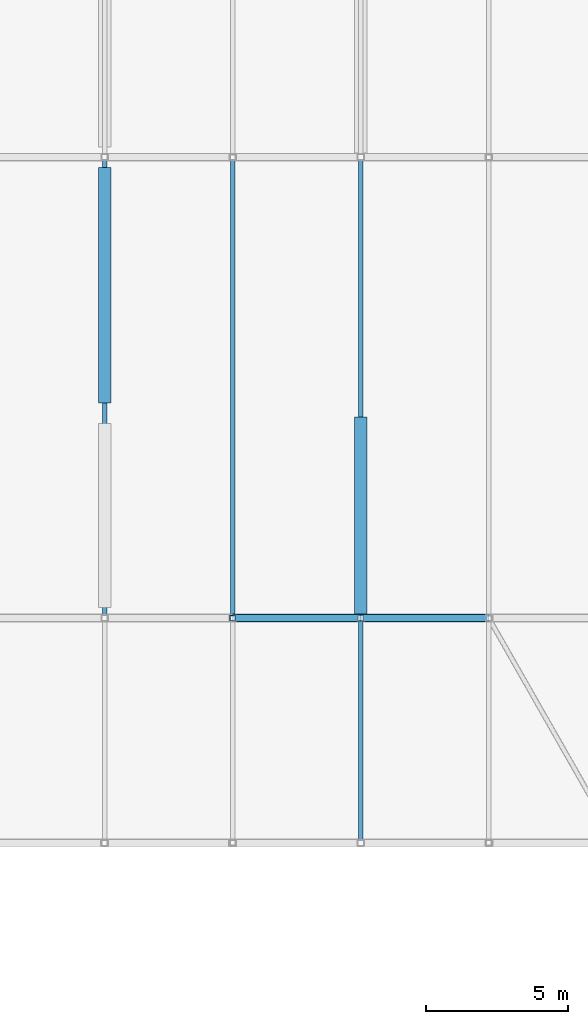
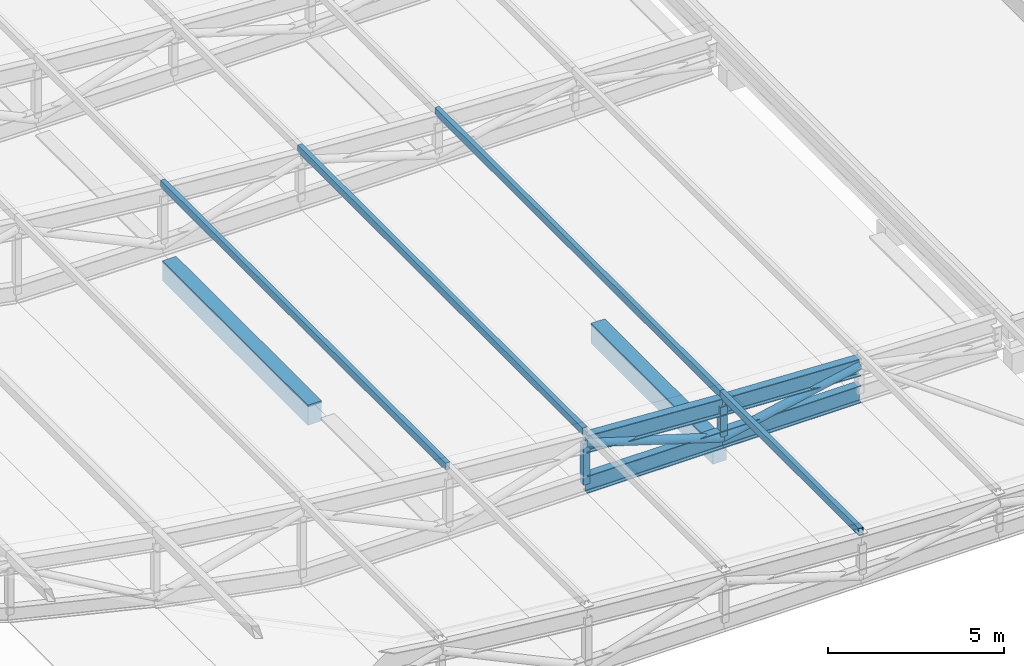
# One storey, part 50 of 114: 8 members, 6 beams.
"""IFC4 building model written with IfcOpenShell, lengths in metres."""

from ifc_helpers import new_model, si_unit, direction, frame, origin, origin_2d, place, context, subcontext, project, spatial, rectangle, hollow_rectangle, hollow_circle, i_section, extrude, material, material_profile, profile_set, type_object, element, save


model = new_model("IFC4")

# Units and contexts
model_context = context("Model", 3, precision=1e-05, world=origin(), true_north=direction((0.0, 1.0)))
body_context = subcontext(model_context, "Body", "Model", "MODEL_VIEW")
ifc_project = project(units=[si_unit("LENGTHUNIT", "METRE"), si_unit("AREAUNIT", "SQUARE_METRE"), si_unit("VOLUMEUNIT", "CUBIC_METRE"), si_unit("PLANEANGLEUNIT", "RADIAN"), si_unit("MASSUNIT", "GRAM", prefix="KILO"), si_unit("THERMODYNAMICTEMPERATUREUNIT", "KELVIN"), si_unit("POWERUNIT", "WATT")], contexts=[model_context])

# Site, building, storey
site_placement = place(None, origin())
site = spatial("IfcSite", under=ifc_project, at=site_placement, CompositionType="ELEMENT")
building_placement = place(site_placement, origin())
building = spatial("IfcBuilding", under=site, at=building_placement, Name="Sindhuravela Promenade Stadium", CompositionType="ELEMENT")
storey_placement = place(building_placement, frame((0.0, 0.0, 24.0)))
storey = spatial("IfcBuildingStorey", under=building, at=storey_placement, Name="L05", CompositionType="ELEMENT", Elevation=24.0)

# Beams
ifc_material_1 = material(Name="Concrete M40", Category="concrete")
ifc_material_profile_1 = material_profile(ifc_material_1, rectangle(XDim=0.449951171875, YDim=0.699951171875, at=origin_2d()), Name="RC 450x700")
ifc_profile_set_1 = profile_set([ifc_material_profile_1], Name="Concrete M40")
beam_type_1 = type_object("IfcBeamType", Name="RC-BM-450x700", PredefinedType="BEAM", material=ifc_profile_set_1)
beam_1_placement = place(storey_placement, frame((180.0, 52.56494140625, -0.594970703125), z_axis=(0.0, 1.0, 0.0), x_axis=(-1.0, 0.0, 0.0)))
element("IfcBeam", 1, at=beam_1_placement, inside=storey, type_object=beam_type_1, Name="Primary beam GB07 EAST L05", PredefinedType="BEAM", context=body_context, shape_type="SweptSolid", body=[
    extrude(rectangle(XDim=0.449951171875, YDim=0.699951171875, at=origin_2d()), origin(), (0.0, 0.0, 1.0), 8.27001953125),
])
beam_2_placement = place(storey_placement, frame((189.0, 45.139892578125, -0.594970703125), z_axis=(0.0, 1.0, 0.0), x_axis=(-1.0, 0.0, 0.0)))
element("IfcBeam", 2, at=beam_2_placement, inside=storey, type_object=beam_type_1, Name="Primary beam GB07 EAST L05", PredefinedType="BEAM", context=body_context, shape_type="SweptSolid", body=[
    extrude(rectangle(XDim=0.449951171875, YDim=0.699951171875, at=origin_2d()), origin(), (0.0, 0.0, 1.0), 6.920166015625),
])
ifc_material_2 = material(Name="Steel E350 (IS 2062 E350BR)", Category="steel")
ifc_material_profile_2 = material_profile(ifc_material_2, i_section(OverallWidth=0.25, OverallDepth=0.60009765625, WebThickness=0.01171875, FlangeThickness=0.023681640625, FilletRadius=0.01708984375, at=origin_2d()), Name="ISWB 600")
ifc_profile_set_2 = profile_set([ifc_material_profile_2], Name="Steel E350 (IS 2062 E350BR)")
beam_type_2 = type_object("IfcBeamType", Name="ST-BM-WB600", PredefinedType="USERDEFINED", material=ifc_profile_set_2)
beam_3_placement = place(storey_placement, frame((193.5, 45.0, 0.9306640625), z_axis=(-0.9990310406412204, 0.0, 0.04401113308380376), x_axis=(0.0, -1.0, 0.0)))
element("IfcBeam", 3, at=beam_3_placement, inside=storey, type_object=beam_type_2, Name="Roof truss RT-E02 top chord 2", ObjectType="ROOF TRUSS", PredefinedType="USERDEFINED", context=body_context, shape_type="SweptSolid", body=[
    extrude(i_section(OverallWidth=0.25, OverallDepth=0.60009765625, WebThickness=0.01171875, FlangeThickness=0.023681640625, FilletRadius=0.01708984375, at=origin_2d()), origin(), (0.0, 0.0, 1.0), 4.50439453125),
])
beam_4_placement = place(storey_placement, frame((193.5, 45.0, 0.0), z_axis=(-1.0, 0.0, 0.0), x_axis=(0.0, -1.0, 0.0)))
element("IfcBeam", 4, at=beam_4_placement, inside=storey, type_object=beam_type_2, Name="Roof truss RT-E02 bottom chord 2", ObjectType="ROOF TRUSS", PredefinedType="USERDEFINED", context=body_context, shape_type="SweptSolid", body=[
    extrude(i_section(OverallWidth=0.25, OverallDepth=0.60009765625, WebThickness=0.01171875, FlangeThickness=0.023681640625, FilletRadius=0.01708984375, at=origin_2d()), origin(), (0.0, 0.0, 1.0), 4.5),
])
beam_5_placement = place(storey_placement, frame((189.0, 45.0, 1.12890625), z_axis=(-0.9981720622420935, 0.0, 0.06043619908106426), x_axis=(0.0, -1.0, 0.0)))
element("IfcBeam", 5, at=beam_5_placement, inside=storey, type_object=beam_type_2, Name="Roof truss RT-E02 top chord 3", ObjectType="ROOF TRUSS", PredefinedType="USERDEFINED", context=body_context, shape_type="SweptSolid", body=[
    extrude(i_section(OverallWidth=0.25, OverallDepth=0.60009765625, WebThickness=0.01171875, FlangeThickness=0.023681640625, FilletRadius=0.01708984375, at=origin_2d()), origin(), (0.0, 0.0, 1.0), 4.50830078125),
])
beam_6_placement = place(storey_placement, frame((189.0, 45.0, 0.0), z_axis=(-1.0, 0.0, 0.0), x_axis=(0.0, -1.0, 0.0)))
element("IfcBeam", 6, at=beam_6_placement, inside=storey, type_object=beam_type_2, Name="Roof truss RT-E02 bottom chord 3", ObjectType="ROOF TRUSS", PredefinedType="USERDEFINED", context=body_context, shape_type="SweptSolid", body=[
    extrude(i_section(OverallWidth=0.25, OverallDepth=0.60009765625, WebThickness=0.01171875, FlangeThickness=0.023681640625, FilletRadius=0.01708984375, at=origin_2d()), origin(), (0.0, 0.0, 1.0), 4.5),
])

# Members
ifc_material_profile_3 = material_profile(ifc_material_2, hollow_circle(Radius=0.136474609375, WallThickness=0.010009765625, at=origin_2d()), Name="CHS 273.0x10")
ifc_profile_set_3 = profile_set([ifc_material_profile_3], Name="Steel E350 (IS 2062 E350BR)")
member_type_1 = type_object("IfcMemberType", Name="ST-MB-CHS273", PredefinedType="BRACE", material=ifc_profile_set_3)
member_1_placement = place(storey_placement, frame((193.5, 45.0, 0.9306640625), z_axis=(-0.9792764097222669, 0.0, -0.2025283026183421), x_axis=(0.0, -1.0, 0.0)))
element("IfcMember", 7, at=member_1_placement, inside=storey, type_object=member_type_1, Name="Roof truss RT-E02 diagonal web 2", PredefinedType="BRACE", context=body_context, shape_type="SweptSolid", body=[
    extrude(hollow_circle(Radius=0.136474609375, WallThickness=0.010009765625, at=origin_2d()), origin(), (0.0, 0.0, 1.0), 4.59521484375),
])
member_2_placement = place(storey_placement, frame((189.0, 45.0, 0.0), z_axis=(-0.9547744570376746, 0.0, 0.2973310212346057), x_axis=(0.0, -1.0, 0.0)))
element("IfcMember", 8, at=member_2_placement, inside=storey, type_object=member_type_1, Name="Roof truss RT-E02 diagonal web 3", PredefinedType="BRACE", context=body_context, shape_type="SweptSolid", body=[
    extrude(hollow_circle(Radius=0.136474609375, WallThickness=0.010009765625, at=origin_2d()), origin(), (0.0, 0.0, 1.0), 4.713134765625),
])
ifc_material_profile_4 = material_profile(ifc_material_2, hollow_rectangle(XDim=0.14990234375, YDim=0.25, WallThickness=0.010009765625, at=origin_2d()), Name="RHS 250x150x10")
ifc_profile_set_4 = profile_set([ifc_material_profile_4], Name="Steel E350 (IS 2062 E350BR)")
member_type_2 = type_object("IfcMemberType", Name="ST-MB-RHS250", PredefinedType="PURLIN", material=ifc_profile_set_4)
member_3_placement = place(storey_placement, frame((189.0, 37.10009765625, 1.52099609375), z_axis=(0.0, 1.0, 0.0), x_axis=(-1.0, 0.0, 0.0)))
element("IfcMember", 9, at=member_3_placement, inside=storey, type_object=member_type_2, Name="Roof purlin PR01 E bay 1.3", PredefinedType="PURLIN", context=body_context, shape_type="SweptSolid", body=[
    extrude(hollow_rectangle(XDim=0.14990234375, YDim=0.25, WallThickness=0.010009765625, at=origin_2d()), origin(), (0.0, 0.0, 1.0), 7.89990234375),
])
for number, where, z_axis, x_axis, name in (
    (10, (189.0, 45.0, 1.52099609375), (0.0, 1.0, 0.0), (-1.0, 0.0, 0.0), "Roof purlin PR01 E bay 2.3"),
    (11, (184.5, 45.0, 1.79345703125), (0.0, 1.0, 0.0), (-1.0, 0.0, 0.0), "Roof purlin PR01 E bay 2.4"),
    (12, (180.0, 45.0, 2.14990234375), (0.0, 1.0, 0.0), (-1.0, 0.0, 0.0), "Roof purlin PR01 E bay 2.5"),
):
    element("IfcMember", number, at=place(storey_placement, frame(where, z_axis=z_axis, x_axis=x_axis)), inside=storey, type_object=member_type_2, Name=name, PredefinedType="PURLIN", context=body_context, shape_type="SweptSolid", body=[
        extrude(hollow_rectangle(XDim=0.14990234375, YDim=0.25, WallThickness=0.010009765625, at=origin_2d()), origin(), (0.0, 0.0, 1.0), 16.199951171875),
    ])
ifc_material_profile_5 = material_profile(ifc_material_2, hollow_rectangle(XDim=0.199951171875, YDim=0.199951171875, WallThickness=0.010009765625, at=origin_2d()), Name="SHS 200x200x10")
ifc_profile_set_5 = profile_set([ifc_material_profile_5], Name="Steel E350 (IS 2062 E350BR)")
member_type_3 = type_object("IfcMemberType", Name="ST-MB-SHS200", PredefinedType="POST", material=ifc_profile_set_5)
member_4_placement = place(storey_placement, frame((184.5, 45.0, 0.0), z_axis=(0.0, 0.0, 1.0), x_axis=(1.0, 0.0, 0.0)))
element("IfcMember", 13, at=member_4_placement, inside=storey, type_object=member_type_3, Name="Roof truss RT-E02 vertical post 4", PredefinedType="POST", context=body_context, shape_type="SweptSolid", body=[
    extrude(hollow_rectangle(XDim=0.199951171875, YDim=0.199951171875, WallThickness=0.010009765625, at=origin_2d()), origin(), (0.0, 0.0, 1.0), 1.4013671875),
])
ifc_material_profile_6 = material_profile(ifc_material_2, hollow_rectangle(XDim=0.219970703125, YDim=0.219970703125, WallThickness=0.011962890625, at=origin_2d()), Name="SHS 220x220x12")
ifc_profile_set_6 = profile_set([ifc_material_profile_6], Name="Steel E350 (IS 2062 E350BR)")
member_type_4 = type_object("IfcMemberType", Name="ST-MB-SHS220", PredefinedType="POST", material=ifc_profile_set_6)
member_5_placement = place(storey_placement, frame((189.0, 45.0, 0.0), z_axis=(0.0, 0.0, 1.0), x_axis=(1.0, 0.0, 0.0)))
element("IfcMember", 14, at=member_5_placement, inside=storey, type_object=member_type_4, Name="Roof truss RT-E02 vertical post 3", PredefinedType="POST", context=body_context, shape_type="SweptSolid", body=[
    extrude(hollow_rectangle(XDim=0.219970703125, YDim=0.219970703125, WallThickness=0.011962890625, at=origin_2d()), origin(), (0.0, 0.0, 1.0), 1.12890625),
])

save(model, "model.ifc")
